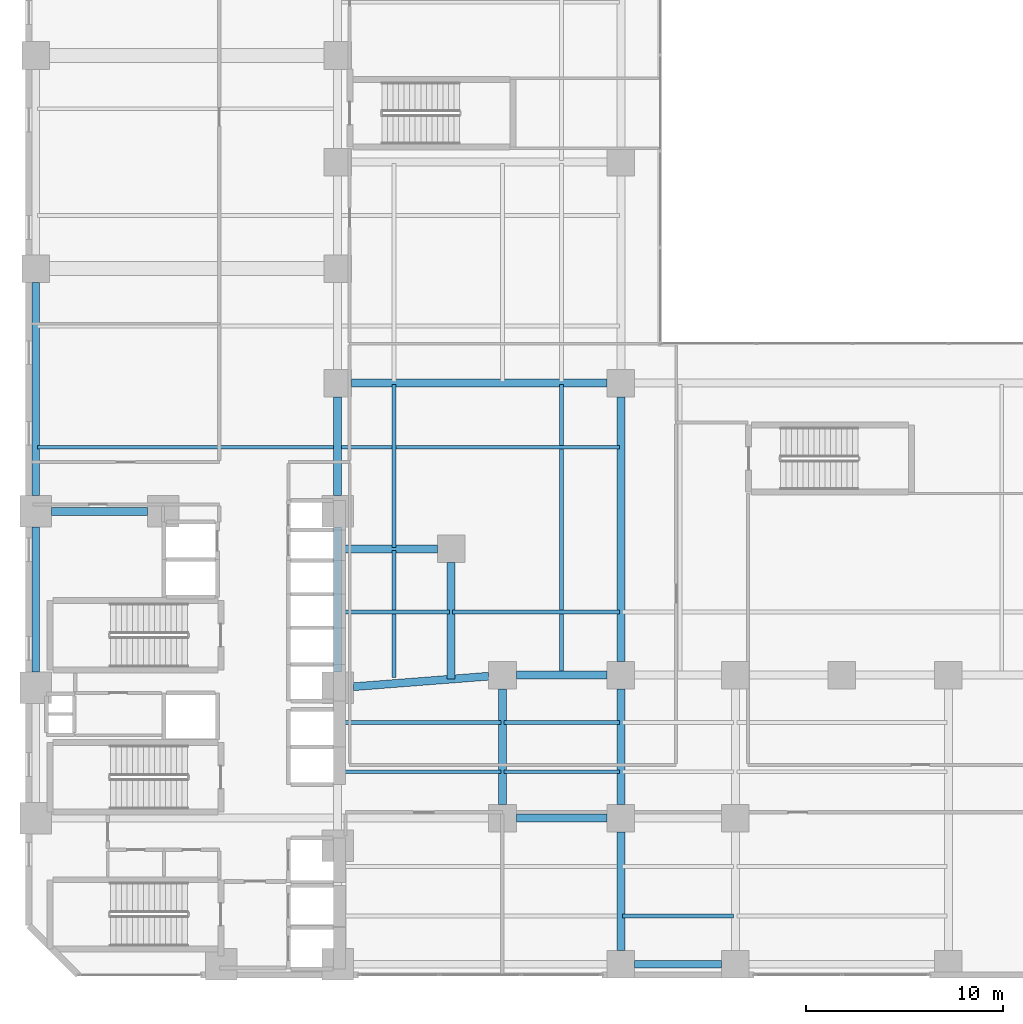
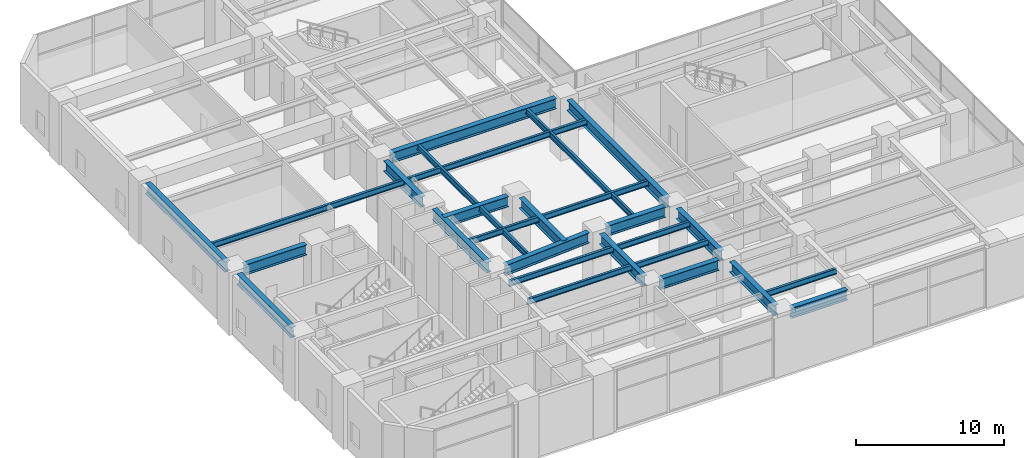
# One storey, part 5 of 29: 28 beams.
"""IFC4 building model written with IfcOpenShell, lengths in metres."""

from ifc_helpers import new_model, si_unit, direction, frame, origin, origin_2d, place, context, subcontext, project, spatial, i_section, extrude, material, material_profile, profile_set, type_object, element, save


model = new_model("IFC4")

# Units and contexts
model_context = context("Model", 3, precision=1e-05, world=origin(), true_north=direction((0.0, 1.0)))
body_context = subcontext(model_context, "Body", "Model", "MODEL_VIEW")
ifc_project = project(units=[si_unit("LENGTHUNIT", "METRE"), si_unit("AREAUNIT", "SQUARE_METRE"), si_unit("VOLUMEUNIT", "CUBIC_METRE"), si_unit("PLANEANGLEUNIT", "RADIAN"), si_unit("MASSUNIT", "GRAM", prefix="KILO")], contexts=[model_context])

# Site, building, storey
site_placement = place(None, origin())
site = spatial("IfcSite", under=ifc_project, at=site_placement, CompositionType="ELEMENT")
building_placement = place(site_placement, origin())
building = spatial("IfcBuilding", under=site, at=building_placement, Name="Mawjaban Terraces University", CompositionType="ELEMENT")
storey_placement = place(building_placement, frame((0.0, 0.0, 15.60009765625)))
storey = spatial("IfcBuildingStorey", under=building, at=storey_placement, Name="L03", CompositionType="ELEMENT", Elevation=15.60009765625)

# Beams
ifc_material = material(Name="Steel ASTM A572 Grade 50", Category="steel")
ifc_material_profile_1 = material_profile(ifc_material, i_section(OverallWidth=0.39990234375, OverallDepth=0.85498046875, WebThickness=0.018310546875, FlangeThickness=0.029296875, at=origin_2d()), Name="W840X299")
ifc_profile_set_1 = profile_set([ifc_material_profile_1], Name="Steel ASTM A572 Grade 50")
beam_type_1 = type_object("IfcBeamType", Name="Beam_B_W840X299", PredefinedType="BEAM", material=ifc_profile_set_1)
beam_1_placement = place(storey_placement, frame((52.699951171875, 0.550048828125, 4.492919921875), z_axis=(1.0, 0.0, 0.0), x_axis=(0.0, 1.0, 0.0)))
element("IfcBeam", 1, at=beam_1_placement, inside=storey, type_object=beam_type_1, Name="L03 Beam BM-L03-EW-02", PredefinedType="BEAM", context=body_context, shape_type="SweptSolid", body=[
    extrude(i_section(OverallWidth=0.39990234375, OverallDepth=0.85498046875, WebThickness=0.018310546875, FlangeThickness=0.029296875, at=origin_2d()), origin(), (0.0, 0.0, 1.0), 4.400146484375),
])
for number, where, z_axis, x_axis, name in (
    (2, (46.699951171875, 7.949951171875, 4.492919921875), (1.0, 0.0, 0.0), (0.0, 1.0, 0.0), "L03 Beam BM-L03-EW-05"),
    (3, (46.699951171875, 15.199951171875, 4.492919921875), (1.0, 0.0, 0.0), (0.0, 1.0, 0.0), "L03 Beam BM-L03-EW-07"),
):
    element("IfcBeam", number, at=place(storey_placement, frame(where, z_axis=z_axis, x_axis=x_axis)), inside=storey, type_object=beam_type_1, Name=name, PredefinedType="BEAM", context=body_context, shape_type="SweptSolid", body=[
        extrude(i_section(OverallWidth=0.39990234375, OverallDepth=0.85498046875, WebThickness=0.018310546875, FlangeThickness=0.029296875, at=origin_2d()), origin(), (0.0, 0.0, 1.0), 4.60009765625),
    ])
beam_2_placement = place(storey_placement, frame((23.14990234375, 23.5, 4.492919921875), z_axis=(1.0, 0.0, 0.0), x_axis=(0.0, 1.0, 0.0)))
element("IfcBeam", 4, at=beam_2_placement, inside=storey, type_object=beam_type_1, Name="L03 Beam BM-L03-EW-12", PredefinedType="BEAM", context=body_context, shape_type="SweptSolid", body=[
    extrude(i_section(OverallWidth=0.39990234375, OverallDepth=0.85498046875, WebThickness=0.018310546875, FlangeThickness=0.029296875, at=origin_2d()), origin(), (0.0, 0.0, 1.0), 4.85009765625),
])
beam_3_placement = place(storey_placement, frame((38.35009765625, 30.0, 4.492919921875), z_axis=(1.0, 0.0, 0.0), x_axis=(0.0, 1.0, 0.0)))
element("IfcBeam", 5, at=beam_3_placement, inside=storey, type_object=beam_type_1, Name="L03 Beam BM-L03-EW-13", PredefinedType="BEAM", context=body_context, shape_type="SweptSolid", body=[
    extrude(i_section(OverallWidth=0.39990234375, OverallDepth=0.85498046875, WebThickness=0.018310546875, FlangeThickness=0.029296875, at=origin_2d()), origin(), (0.0, 0.0, 1.0), 12.949951171875),
])
beam_4_placement = place(storey_placement, frame((22.35009765625, 15.35009765625, 4.492919921875), z_axis=(0.0, 1.0, 0.0), x_axis=(-1.0, 0.0, 0.0)))
element("IfcBeam", 6, at=beam_4_placement, inside=storey, type_object=beam_type_1, Name="L03 Beam BM-L03-NS-02", PredefinedType="BEAM", context=body_context, shape_type="SweptSolid", body=[
    extrude(i_section(OverallWidth=0.39990234375, OverallDepth=0.85498046875, WebThickness=0.018310546875, FlangeThickness=0.029296875, at=origin_2d()), origin(), (0.0, 0.0, 1.0), 7.349853515625),
])
beam_5_placement = place(storey_placement, frame((22.35009765625, 24.300048828125, 4.492919921875), z_axis=(0.0, 1.0, 0.0), x_axis=(-1.0, 0.0, 0.0)))
element("IfcBeam", 7, at=beam_5_placement, inside=storey, type_object=beam_type_1, Name="L03 Beam BM-L03-NS-03", PredefinedType="BEAM", context=body_context, shape_type="SweptSolid", body=[
    extrude(i_section(OverallWidth=0.39990234375, OverallDepth=0.85498046875, WebThickness=0.018310546875, FlangeThickness=0.029296875, at=origin_2d()), origin(), (0.0, 0.0, 1.0), 10.800048828125),
])
beam_6_placement = place(storey_placement, frame((37.64990234375, 15.35009765625, 4.492919921875), z_axis=(0.0, 1.0, 0.0), x_axis=(-1.0, 0.0, 0.0)))
element("IfcBeam", 8, at=beam_6_placement, inside=storey, type_object=beam_type_1, Name="L03 Beam BM-L03-NS-07", PredefinedType="BEAM", context=body_context, shape_type="SweptSolid", body=[
    extrude(i_section(OverallWidth=0.39990234375, OverallDepth=0.85498046875, WebThickness=0.018310546875, FlangeThickness=0.029296875, at=origin_2d()), origin(), (0.0, 0.0, 1.0), 7.349853515625),
])
beam_7_placement = place(storey_placement, frame((37.64990234375, 24.300048828125, 4.492919921875), z_axis=(0.0, 1.0, 0.0), x_axis=(-1.0, 0.0, 0.0)))
element("IfcBeam", 9, at=beam_7_placement, inside=storey, type_object=beam_type_1, Name="L03 Beam BM-L03-NS-08", PredefinedType="BEAM", context=body_context, shape_type="SweptSolid", body=[
    extrude(i_section(OverallWidth=0.39990234375, OverallDepth=0.85498046875, WebThickness=0.018310546875, FlangeThickness=0.029296875, at=origin_2d()), origin(), (0.0, 0.0, 1.0), 5.0),
])
beam_8_placement = place(storey_placement, frame((46.0, 8.64990234375, 4.492919921875), z_axis=(0.0, 1.0, 0.0), x_axis=(-1.0, 0.0, 0.0)))
element("IfcBeam", 10, at=beam_8_placement, inside=storey, type_object=beam_type_1, Name="L03 Beam BM-L03-NS-13", PredefinedType="BEAM", context=body_context, shape_type="SweptSolid", body=[
    extrude(i_section(OverallWidth=0.39990234375, OverallDepth=0.85498046875, WebThickness=0.018310546875, FlangeThickness=0.029296875, at=origin_2d()), origin(), (0.0, 0.0, 1.0), 5.85009765625),
])
beam_9_placement = place(storey_placement, frame((52.0, 1.25, 4.492919921875), z_axis=(0.0, 1.0, 0.0), x_axis=(-1.0, 0.0, 0.0)))
element("IfcBeam", 11, at=beam_9_placement, inside=storey, type_object=beam_type_1, Name="L03 Beam BM-L03-NS-14", PredefinedType="BEAM", context=body_context, shape_type="SweptSolid", body=[
    extrude(i_section(OverallWidth=0.39990234375, OverallDepth=0.85498046875, WebThickness=0.018310546875, FlangeThickness=0.029296875, at=origin_2d()), origin(), (0.0, 0.0, 1.0), 6.0),
])
beam_10_placement = place(storey_placement, frame((52.0, 8.64990234375, 4.492919921875), z_axis=(0.0, 1.0, 0.0), x_axis=(-1.0, 0.0, 0.0)))
element("IfcBeam", 12, at=beam_10_placement, inside=storey, type_object=beam_type_1, Name="L03 Beam BM-L03-NS-15", PredefinedType="BEAM", context=body_context, shape_type="SweptSolid", body=[
    extrude(i_section(OverallWidth=0.39990234375, OverallDepth=0.85498046875, WebThickness=0.018310546875, FlangeThickness=0.029296875, at=origin_2d()), origin(), (0.0, 0.0, 1.0), 5.85009765625),
])
beam_11_placement = place(storey_placement, frame((52.0, 15.89990234375, 4.492919921875), z_axis=(0.0, 1.0, 0.0), x_axis=(-1.0, 0.0, 0.0)))
element("IfcBeam", 13, at=beam_11_placement, inside=storey, type_object=beam_type_1, Name="L03 Beam BM-L03-NS-16", PredefinedType="BEAM", context=body_context, shape_type="SweptSolid", body=[
    extrude(i_section(OverallWidth=0.39990234375, OverallDepth=0.85498046875, WebThickness=0.018310546875, FlangeThickness=0.029296875, at=origin_2d()), origin(), (0.0, 0.0, 1.0), 13.400146484375),
])
beam_12_placement = place(storey_placement, frame((38.447998046875, 14.612060546875, 4.492919921875), z_axis=(0.996979437792, 0.077665955348, 0.0), x_axis=(-0.077665955348, 0.996979437792, 0.0)))
element("IfcBeam", 14, at=beam_12_placement, inside=storey, type_object=beam_type_1, Name="L03 Beam BM-L03-CTIE", PredefinedType="BEAM", context=body_context, shape_type="SweptSolid", body=[
    extrude(i_section(OverallWidth=0.39990234375, OverallDepth=0.85498046875, WebThickness=0.018310546875, FlangeThickness=0.029296875, at=origin_2d()), origin(), (0.0, 0.0, 1.0), 6.874755859375),
])
beam_13_placement = place(storey_placement, frame((37.679931640625, 21.60009765625, 4.492919921875), z_axis=(1.0, 0.0, 0.0), x_axis=(0.0, 1.0, 0.0)))
element("IfcBeam", 15, at=beam_13_placement, inside=storey, type_object=beam_type_1, Name="L03 Spur Tie Girder West", PredefinedType="BEAM", context=body_context, shape_type="SweptSolid", body=[
    extrude(i_section(OverallWidth=0.39990234375, OverallDepth=0.85498046875, WebThickness=0.018310546875, FlangeThickness=0.029296875, at=origin_2d()), origin(), (0.0, 0.0, 1.0), 5.02001953125),
])
beam_14_placement = place(storey_placement, frame((43.39990234375, 15.0, 4.492919921875), z_axis=(0.0, 1.0, 0.0), x_axis=(-1.0, 0.0, 0.0)))
element("IfcBeam", 16, at=beam_14_placement, inside=storey, type_object=beam_type_1, Name="L03 Spur Tie Girder South", PredefinedType="BEAM", context=body_context, shape_type="SweptSolid", body=[
    extrude(i_section(OverallWidth=0.39990234375, OverallDepth=0.85498046875, WebThickness=0.018310546875, FlangeThickness=0.029296875, at=origin_2d()), origin(), (0.0, 0.0, 1.0), 5.89990234375),
])
ifc_material_profile_2 = material_profile(ifc_material, i_section(OverallWidth=0.194091796875, OverallDepth=0.468994140625, WebThickness=0.011474609375, FlangeThickness=0.0205078125, at=origin_2d()), Name="W460X106")
ifc_profile_set_2 = profile_set([ifc_material_profile_2], Name="Steel ASTM A572 Grade 50")
beam_type_2 = type_object("IfcBeamType", Name="Beam_J_W460X106", PredefinedType="JOIST", material=ifc_profile_set_2)
beam_15_placement = place(storey_placement, frame((52.080078125, 3.0, 4.684814453125), z_axis=(1.0, 0.0, 0.0), x_axis=(0.0, 1.0, 0.0)))
element("IfcBeam", 17, at=beam_15_placement, inside=storey, type_object=beam_type_2, Name="L03 Composite Joist JST-L03-02", PredefinedType="JOIST", context=body_context, shape_type="SweptSolid", body=[
    extrude(i_section(OverallWidth=0.194091796875, OverallDepth=0.468994140625, WebThickness=0.011474609375, FlangeThickness=0.0205078125, at=origin_2d()), origin(), (0.0, 0.0, 1.0), 5.639892578125),
])
beam_16_placement = place(storey_placement, frame((37.72998046875, 10.300048828125, 4.684814453125), z_axis=(1.0, 0.0, 0.0), x_axis=(0.0, 1.0, 0.0)))
element("IfcBeam", 18, at=beam_16_placement, inside=storey, type_object=beam_type_2, Name="L03 Composite Joist JST-L03-07", PredefinedType="JOIST", context=body_context, shape_type="SweptSolid", body=[
    extrude(i_section(OverallWidth=0.194091796875, OverallDepth=0.468994140625, WebThickness=0.011474609375, FlangeThickness=0.0205078125, at=origin_2d()), origin(), (0.0, 0.0, 1.0), 8.18994140625),
])
beam_17_placement = place(storey_placement, frame((46.080078125, 10.300048828125, 4.684814453125), z_axis=(1.0, 0.0, 0.0), x_axis=(0.0, 1.0, 0.0)))
element("IfcBeam", 19, at=beam_17_placement, inside=storey, type_object=beam_type_2, Name="L03 Composite Joist JST-L03-08", PredefinedType="JOIST", context=body_context, shape_type="SweptSolid", body=[
    extrude(i_section(OverallWidth=0.194091796875, OverallDepth=0.468994140625, WebThickness=0.011474609375, FlangeThickness=0.0205078125, at=origin_2d()), origin(), (0.0, 0.0, 1.0), 5.83984375),
])
beam_18_placement = place(storey_placement, frame((37.72998046875, 12.800048828125, 4.684814453125), z_axis=(1.0, 0.0, 0.0), x_axis=(0.0, 1.0, 0.0)))
element("IfcBeam", 20, at=beam_18_placement, inside=storey, type_object=beam_type_2, Name="L03 Composite Joist JST-L03-11", PredefinedType="JOIST", context=body_context, shape_type="SweptSolid", body=[
    extrude(i_section(OverallWidth=0.194091796875, OverallDepth=0.468994140625, WebThickness=0.011474609375, FlangeThickness=0.0205078125, at=origin_2d()), origin(), (0.0, 0.0, 1.0), 8.18994140625),
])
beam_19_placement = place(storey_placement, frame((46.080078125, 12.800048828125, 4.684814453125), z_axis=(1.0, 0.0, 0.0), x_axis=(0.0, 1.0, 0.0)))
element("IfcBeam", 21, at=beam_19_placement, inside=storey, type_object=beam_type_2, Name="L03 Composite Joist JST-L03-12", PredefinedType="JOIST", context=body_context, shape_type="SweptSolid", body=[
    extrude(i_section(OverallWidth=0.194091796875, OverallDepth=0.468994140625, WebThickness=0.011474609375, FlangeThickness=0.0205078125, at=origin_2d()), origin(), (0.0, 0.0, 1.0), 5.83984375),
])
beam_20_placement = place(storey_placement, frame((37.72998046875, 18.39990234375, 4.684814453125), z_axis=(1.0, 0.0, 0.0), x_axis=(0.0, 1.0, 0.0)))
element("IfcBeam", 22, at=beam_20_placement, inside=storey, type_object=beam_type_2, Name="L03 Composite Joist JST-L03-15", PredefinedType="JOIST", context=body_context, shape_type="SweptSolid", body=[
    extrude(i_section(OverallWidth=0.194091796875, OverallDepth=0.468994140625, WebThickness=0.011474609375, FlangeThickness=0.0205078125, at=origin_2d()), origin(), (0.0, 0.0, 1.0), 5.590087890625),
])
beam_21_placement = place(storey_placement, frame((43.47998046875, 18.39990234375, 4.684814453125), z_axis=(1.0, 0.0, 0.0), x_axis=(0.0, 1.0, 0.0)))
element("IfcBeam", 23, at=beam_21_placement, inside=storey, type_object=beam_type_2, Name="L03 Composite Joist JST-L03-16", PredefinedType="JOIST", context=body_context, shape_type="SweptSolid", body=[
    extrude(i_section(OverallWidth=0.194091796875, OverallDepth=0.468994140625, WebThickness=0.011474609375, FlangeThickness=0.0205078125, at=origin_2d()), origin(), (0.0, 0.0, 1.0), 8.43994140625),
])
beam_22_placement = place(storey_placement, frame((22.429931640625, 26.75, 4.684814453125), z_axis=(1.0, 0.0, 0.0), x_axis=(0.0, 1.0, 0.0)))
element("IfcBeam", 24, at=beam_22_placement, inside=storey, type_object=beam_type_2, Name="L03 Composite Joist JST-L03-18", PredefinedType="JOIST", context=body_context, shape_type="SweptSolid", body=[
    extrude(i_section(OverallWidth=0.194091796875, OverallDepth=0.468994140625, WebThickness=0.011474609375, FlangeThickness=0.0205078125, at=origin_2d()), origin(), (0.0, 0.0, 1.0), 15.14013671875),
])
beam_23_placement = place(storey_placement, frame((37.72998046875, 26.75, 4.684814453125), z_axis=(1.0, 0.0, 0.0), x_axis=(0.0, 1.0, 0.0)))
element("IfcBeam", 25, at=beam_23_placement, inside=storey, type_object=beam_type_2, Name="L03 Composite Joist JST-L03-19", PredefinedType="JOIST", context=body_context, shape_type="SweptSolid", body=[
    extrude(i_section(OverallWidth=0.194091796875, OverallDepth=0.468994140625, WebThickness=0.011474609375, FlangeThickness=0.0205078125, at=origin_2d()), origin(), (0.0, 0.0, 1.0), 14.18994140625),
])
beam_24_placement = place(storey_placement, frame((40.5, 15.080078125, 4.684814453125), z_axis=(0.0, 1.0, 0.0), x_axis=(-1.0, 0.0, 0.0)))
element("IfcBeam", 26, at=beam_24_placement, inside=storey, type_object=beam_type_2, Name="L03 Composite Joist JST-L03-NS-26", PredefinedType="JOIST", context=body_context, shape_type="SweptSolid", body=[
    extrude(i_section(OverallWidth=0.194091796875, OverallDepth=0.468994140625, WebThickness=0.011474609375, FlangeThickness=0.0205078125, at=origin_2d()), origin(), (0.0, 0.0, 1.0), 6.43994140625),
])
beam_25_placement = place(storey_placement, frame((40.5, 21.679931640625, 4.684814453125), z_axis=(0.0, 1.0, 0.0), x_axis=(-1.0, 0.0, 0.0)))
element("IfcBeam", 27, at=beam_25_placement, inside=storey, type_object=beam_type_2, Name="L03 Composite Joist JST-L03-NS-27", PredefinedType="JOIST", context=body_context, shape_type="SweptSolid", body=[
    extrude(i_section(OverallWidth=0.194091796875, OverallDepth=0.468994140625, WebThickness=0.011474609375, FlangeThickness=0.0205078125, at=origin_2d()), origin(), (0.0, 0.0, 1.0), 8.239990234375),
])
beam_26_placement = place(storey_placement, frame((49.0, 15.280029296875, 4.684814453125), z_axis=(0.0, 1.0, 0.0), x_axis=(-1.0, 0.0, 0.0)))
element("IfcBeam", 28, at=beam_26_placement, inside=storey, type_object=beam_type_2, Name="L03 Composite Joist JST-L03-NS-30", PredefinedType="JOIST", context=body_context, shape_type="SweptSolid", body=[
    extrude(i_section(OverallWidth=0.194091796875, OverallDepth=0.468994140625, WebThickness=0.011474609375, FlangeThickness=0.0205078125, at=origin_2d()), origin(), (0.0, 0.0, 1.0), 14.639892578125),
])

save(model, "model.ifc")
